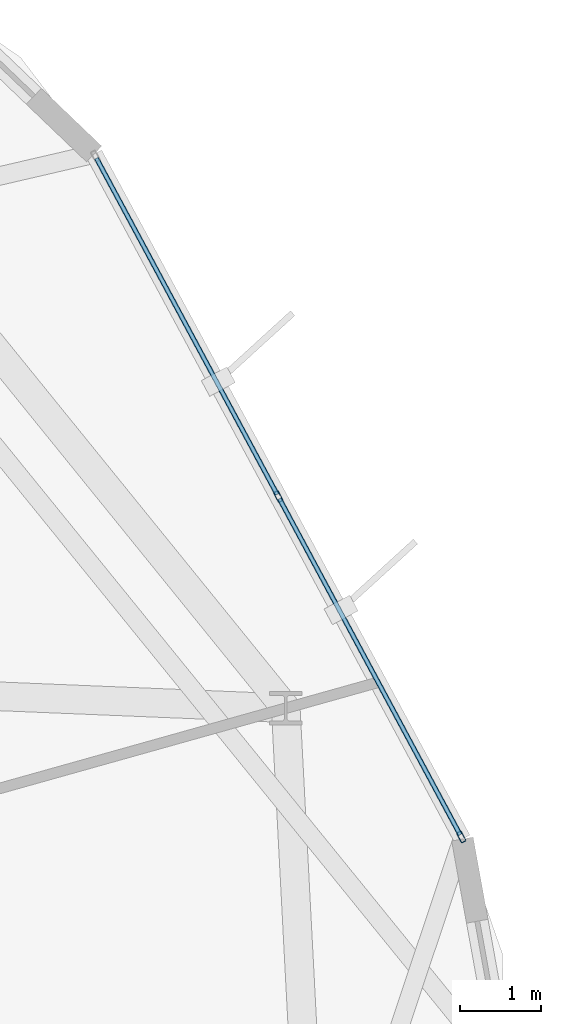
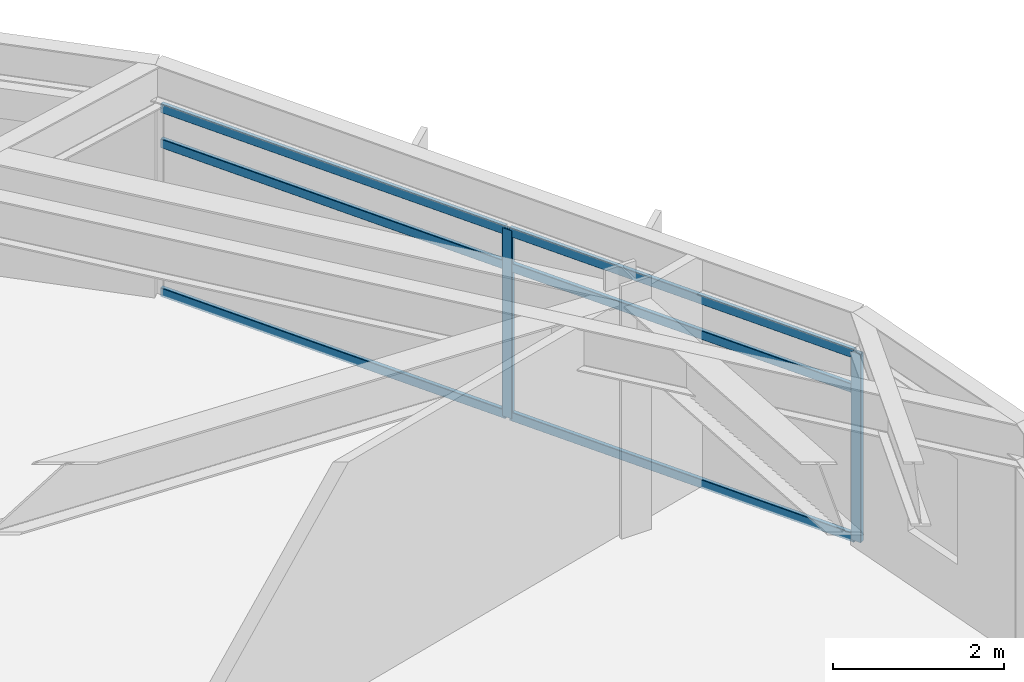
# One storey, part 15 of 27: 8 members, 1 element without a shape of its own.
"""IFC4 building model written with IfcOpenShell, lengths in metres."""

from ifc_helpers import new_model, si_unit, direction, frame, origin, origin_2d, place, context, subcontext, project, spatial, hollow_rectangle, extrude, material, layer, layer_set, material_profile, profile_set, type_object, element, aggregate, save


model = new_model("IFC4")

# Units and contexts
model_context = context("Model", 3, precision=1e-05, world=origin(), true_north=direction((0.0, 1.0)))
body_context = subcontext(model_context, "Body", "Model", "MODEL_VIEW")
ifc_project = project(units=[si_unit("LENGTHUNIT", "METRE"), si_unit("AREAUNIT", "SQUARE_METRE"), si_unit("VOLUMEUNIT", "CUBIC_METRE"), si_unit("PLANEANGLEUNIT", "RADIAN"), si_unit("MASSUNIT", "GRAM", prefix="KILO")], contexts=[model_context])

# Site, building, storey
site_placement = place(None, origin())
site = spatial("IfcSite", under=ifc_project, at=site_placement, CompositionType="ELEMENT")
building_placement = place(site_placement, origin())
building = spatial("IfcBuilding", under=site, at=building_placement, Name="Soratama Intermodal Tower", CompositionType="ELEMENT")
storey_placement = place(building_placement, frame((0.0, 0.0, 208.60009765625)))
storey = spatial("IfcBuildingStorey", under=building, at=storey_placement, Name="L52", CompositionType="ELEMENT", Elevation=208.60009765625)

# Curtain wall, members
ifc_material_1 = material(Name="Double-glazed aluminium curtain wall", Category="aluminium")
ifc_layer = layer(ifc_material_1, 0.159912109375)
ifc_layer_set = layer_set([ifc_layer], Name="Double-glazed aluminium curtain wall")
curtain_wall_type = type_object("IfcCurtainWallType", Name="CW-SYS-5", PredefinedType="NOTDEFINED", material=ifc_layer_set)
curtain_wall_placement = place(storey_placement, origin())
curtain_wall = element("IfcCurtainWall", 1, at=curtain_wall_placement, inside=storey, type_object=curtain_wall_type, Name="L52 Faceted Curtain Wall F10", PredefinedType="NOTDEFINED")
ifc_material_2 = material(Name="Anodised aluminium AA 6063-T6", Category="aluminium")
ifc_material_profile_1 = material_profile(ifc_material_2, hollow_rectangle(XDim=0.06494140625, YDim=0.139892578125, WallThickness=0.0048828125, InnerFilletRadius=0.0048828125, OuterFilletRadius=0.010009765625, at=origin_2d()), Name="CWM140X65X5")
ifc_profile_set_1 = profile_set([ifc_material_profile_1], Name="Anodised aluminium AA 6063-T6")
member_type_1 = type_object("IfcMemberType", Name="MT-CWM-5", PredefinedType="MULLION", material=ifc_profile_set_1)
member_1_placement = place(storey_placement, frame((64.536865234375, 30.07275390625, 0.0), z_axis=(0.0, 0.0, 1.0), x_axis=(-0.880806522484, -0.473476366833, 0.0)))
member_1 = element("IfcMember", 2, at=member_1_placement, type_object=member_type_1, Name="CW-5 mullion 1", PredefinedType="MULLION", context=body_context, shape_type="SweptSolid", body=[
    extrude(hollow_rectangle(XDim=0.06494140625, YDim=0.139892578125, WallThickness=0.0048828125, InnerFilletRadius=0.0048828125, OuterFilletRadius=0.010009765625, at=origin_2d()), origin(), (0.0, 0.0, 1.0), 2.678955078125),
])
member_2_placement = place(storey_placement, frame((62.272705078125, 34.284912109375, 0.0), z_axis=(0.0, 0.0, 1.0), x_axis=(-0.880806522484, -0.473476366833, 0.0)))
member_2 = element("IfcMember", 3, at=member_2_placement, type_object=member_type_1, Name="CW-5 mullion 2", PredefinedType="MULLION", context=body_context, shape_type="SweptSolid", body=[
    extrude(hollow_rectangle(XDim=0.06494140625, YDim=0.139892578125, WallThickness=0.0048828125, InnerFilletRadius=0.0048828125, OuterFilletRadius=0.010009765625, at=origin_2d()), origin(), (0.0, 0.0, 1.0), 2.678955078125),
])
ifc_material_3 = material(Name="Anodised aluminium AA 6063-T6", Category="aluminium")
ifc_material_profile_2 = material_profile(ifc_material_3, hollow_rectangle(XDim=0.06005859375, YDim=0.1298828125, WallThickness=0.0048828125, InnerFilletRadius=0.0048828125, OuterFilletRadius=0.010009765625, at=origin_2d()), Name="CWT130X60X5")
ifc_profile_set_2 = profile_set([ifc_material_profile_2], Name="Anodised aluminium AA 6063-T6")
member_type_2 = type_object("IfcMemberType", Name="TT-CWT-2", PredefinedType="USERDEFINED", material=ifc_profile_set_2)
member_3_placement = place(storey_placement, frame((64.522705078125, 30.09912109375, 0.02978515625), z_axis=(-0.473489243016, 0.880799600788, 0.0), x_axis=(-0.880799600788, -0.473489243016, 0.0)))
member_3 = element("IfcMember", 4, at=member_3_placement, type_object=member_type_2, Name="CW-5 transom 1.1", ObjectType="TRANSOM", PredefinedType="USERDEFINED", context=body_context, shape_type="SweptSolid", body=[
    extrude(hollow_rectangle(XDim=0.06005859375, YDim=0.1298828125, WallThickness=0.0048828125, InnerFilletRadius=0.0048828125, OuterFilletRadius=0.010009765625, at=origin_2d()), origin(), (0.0, 0.0, 1.0), 4.72216796875),
])
member_4_placement = place(storey_placement, frame((64.522705078125, 30.09912109375, 2.14990234375), z_axis=(-0.473489243016, 0.880799600788, 0.0), x_axis=(-0.880799600788, -0.473489243016, 0.0)))
member_4 = element("IfcMember", 5, at=member_4_placement, type_object=member_type_2, Name="CW-5 transom 1.2", ObjectType="TRANSOM", PredefinedType="USERDEFINED", context=body_context, shape_type="SweptSolid", body=[
    extrude(hollow_rectangle(XDim=0.06005859375, YDim=0.1298828125, WallThickness=0.0048828125, InnerFilletRadius=0.0048828125, OuterFilletRadius=0.010009765625, at=origin_2d()), origin(), (0.0, 0.0, 1.0), 4.72216796875),
])
member_5_placement = place(storey_placement, frame((64.522705078125, 30.09912109375, 2.64892578125), z_axis=(-0.473489243016, 0.880799600788, 0.0), x_axis=(-0.880799600788, -0.473489243016, 0.0)))
member_5 = element("IfcMember", 6, at=member_5_placement, type_object=member_type_2, Name="CW-5 transom 1.3", ObjectType="TRANSOM", PredefinedType="USERDEFINED", context=body_context, shape_type="SweptSolid", body=[
    extrude(hollow_rectangle(XDim=0.06005859375, YDim=0.1298828125, WallThickness=0.0048828125, InnerFilletRadius=0.0048828125, OuterFilletRadius=0.010009765625, at=origin_2d()), origin(), (0.0, 0.0, 1.0), 4.72216796875),
])
member_6_placement = place(storey_placement, frame((62.25830078125, 34.311279296875, 0.02978515625), z_axis=(-0.473449130524, 0.880821162783, 0.0), x_axis=(-0.880821162783, -0.473449130524, 0.0)))
member_6 = element("IfcMember", 7, at=member_6_placement, type_object=member_type_2, Name="CW-5 transom 2.1", ObjectType="TRANSOM", PredefinedType="USERDEFINED", context=body_context, shape_type="SweptSolid", body=[
    extrude(hollow_rectangle(XDim=0.06005859375, YDim=0.1298828125, WallThickness=0.0048828125, InnerFilletRadius=0.0048828125, OuterFilletRadius=0.010009765625, at=origin_2d()), origin(), (0.0, 0.0, 1.0), 4.721923828125),
])
member_7_placement = place(storey_placement, frame((62.25830078125, 34.311279296875, 2.14990234375), z_axis=(-0.473449130524, 0.880821162783, 0.0), x_axis=(-0.880821162783, -0.473449130524, 0.0)))
member_7 = element("IfcMember", 8, at=member_7_placement, type_object=member_type_2, Name="CW-5 transom 2.2", ObjectType="TRANSOM", PredefinedType="USERDEFINED", context=body_context, shape_type="SweptSolid", body=[
    extrude(hollow_rectangle(XDim=0.06005859375, YDim=0.1298828125, WallThickness=0.0048828125, InnerFilletRadius=0.0048828125, OuterFilletRadius=0.010009765625, at=origin_2d()), origin(), (0.0, 0.0, 1.0), 4.721923828125),
])
member_8_placement = place(storey_placement, frame((62.25830078125, 34.311279296875, 2.64892578125), z_axis=(-0.473449130524, 0.880821162783, 0.0), x_axis=(-0.880821162783, -0.473449130524, 0.0)))
member_8 = element("IfcMember", 9, at=member_8_placement, type_object=member_type_2, Name="CW-5 transom 2.3", ObjectType="TRANSOM", PredefinedType="USERDEFINED", context=body_context, shape_type="SweptSolid", body=[
    extrude(hollow_rectangle(XDim=0.06005859375, YDim=0.1298828125, WallThickness=0.0048828125, InnerFilletRadius=0.0048828125, OuterFilletRadius=0.010009765625, at=origin_2d()), origin(), (0.0, 0.0, 1.0), 4.721923828125),
])
aggregate(curtain_wall, [member_1, member_2, member_3, member_4, member_5, member_6, member_7, member_8])

save(model, "model.ifc")
